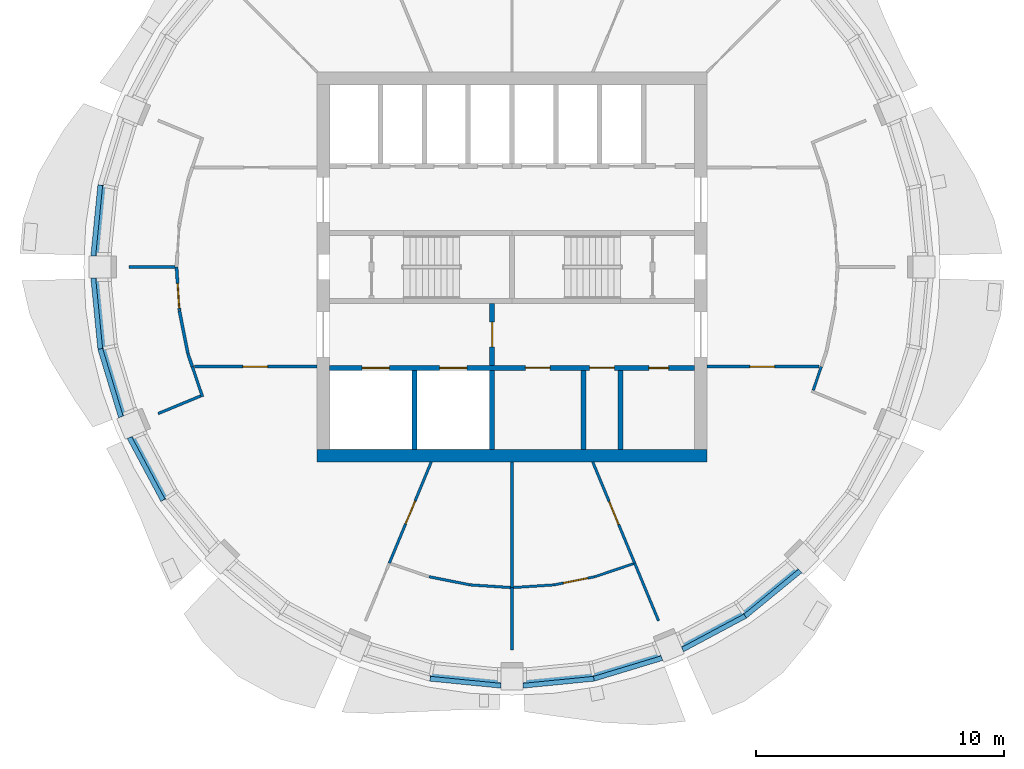
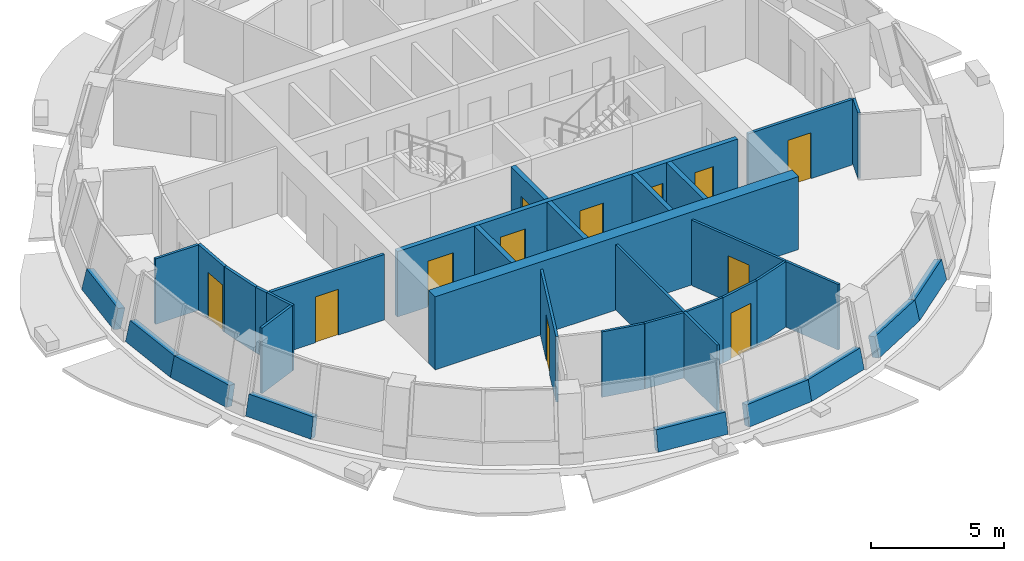
# One storey, part 4 of 11: 35 walls, 12 doors, 12 openings.
"""IFC4 building model written with IfcOpenShell, lengths in metres."""

from ifc_helpers import new_model, si_unit, direction, frame, frame_2d, origin, place, context, subcontext, project, spatial, polyline, rectangle, outline, extrude, material, layer, layer_set, type_object, element, fill, save


model = new_model("IFC4")

# Units and contexts
model_context = context("Model", 3, precision=1e-05, world=origin(), true_north=direction((0.0, 1.0)))
body_context = subcontext(model_context, "Body", "Model", "MODEL_VIEW")
ifc_project = project(units=[si_unit("LENGTHUNIT", "METRE"), si_unit("AREAUNIT", "SQUARE_METRE"), si_unit("VOLUMEUNIT", "CUBIC_METRE"), si_unit("PLANEANGLEUNIT", "RADIAN"), si_unit("MASSUNIT", "GRAM", prefix="KILO")], contexts=[model_context])

# Site, building, storey
site_placement = place(None, origin())
site = spatial("IfcSite", under=ifc_project, at=site_placement, CompositionType="ELEMENT")
building_placement = place(site_placement, origin())
building = spatial("IfcBuilding", under=site, at=building_placement, Name="Polderwave Tower", CompositionType="ELEMENT")
storey_placement = place(building_placement, frame((0.0, 0.0, 204.39990234375)))
storey = spatial("IfcBuildingStorey", under=building, at=storey_placement, Name="L55", CompositionType="ELEMENT", Elevation=204.39990234375)

# Walls
ifc_material_1 = material(Name="Concrete C60/75", Category="concrete")
ifc_layer_1 = layer(ifc_material_1, 0.5)
ifc_layer_set_1 = layer_set([ifc_layer_1], Name="CORE WALL 500 C60/75")
wall_type_1 = type_object("IfcWallType", Name="CORE WALL 500 C60/75", PredefinedType="SHEAR", material=ifc_layer_set_1)
wall_1_placement = place(storey_placement, frame((-7.8740234375, -7.6240234375, 0.0), z_axis=(0.0, 0.0, 1.0), x_axis=(1.0, 0.0, 0.0)))
element("IfcWall", 1, at=wall_1_placement, inside=storey, type_object=wall_type_1, Name="ST-CORE-L55-S", PredefinedType="SHEAR", context=body_context, shape_type="SweptSolid", body=[
    extrude(rectangle(XDim=15.748046875, YDim=0.5, at=frame_2d((7.8740234375, 0.0))), origin(), (0.0, 0.0, 1.0), 3.35009765625),
])
ifc_material_2 = material(Name="Concrete C50/60 (board-marked)", Category="concrete")
ifc_layer_2 = layer(ifc_material_2, 0.300048828125)
ifc_layer_set_2 = layer_set([ifc_layer_2], Name="Concrete spandrel upstand C50/60")
wall_type_2 = type_object("IfcWallType", Name="Concrete spandrel upstand C50/60", PredefinedType="SOLIDWALL", material=ifc_layer_set_2)
wall_2_placement = place(storey_placement, frame((-16.72705078125, 3.327392578125, 0.0), z_axis=(-0.972506225061, 0.09607411987, 0.212135347619), x_axis=(-0.098310703755, -0.995155769469, 4.446659e-06)))
element("IfcWall", 2, at=wall_2_placement, inside=storey, type_object=wall_type_2, Name="Spandrel L55 8b", PredefinedType="SOLIDWALL", context=body_context, shape_type="SweptSolid", body=[
    extrude(outline(polyline([(0.0, 0.0), (2.888743782706167, 6.938893903907228e-18), (2.8694504694765173, 0.9210976353176993), (0.019211109710525674, 0.9211237489550932), (0.0, 0.0)])), origin(), (0.0, 0.0, -1.0), 0.300048828125),
])
wall_3_placement = place(storey_placement, frame((-17.010986328125, -0.45263671875, 0.0), z_axis=(-0.97248307566, -0.096030261393, 0.212261292872), x_axis=(0.098270470922, -0.99515974322, 4.332109e-06)))
element("IfcWall", 3, at=wall_3_placement, inside=storey, type_object=wall_type_2, Name="Spandrel L55 9a", PredefinedType="SOLIDWALL", context=body_context, shape_type="SweptSolid", body=[
    extrude(outline(polyline([(0.0, 0.0), (2.8887437827391578, -6.938893903907228e-18), (2.86953267296287, 0.9211237490571841), (0.019317309955234726, 0.9211491905893285), (0.0, 0.0)])), origin(), (0.0, 0.0, -1.0), 0.300048828125),
])
wall_4_placement = place(storey_placement, frame((-16.72705078125, -3.327392578125, 0.0), z_axis=(-0.935242697182, -0.28337916088, 0.212172921331), x_axis=(0.289981848011, -0.957032145656, 2.070465e-06)))
element("IfcWall", 4, at=wall_4_placement, inside=storey, type_object=wall_type_2, Name="Spandrel L55 9b", PredefinedType="SOLIDWALL", context=body_context, shape_type="SweptSolid", body=[
    extrude(outline(polyline([(0.0, 0.0), (2.888526051219243, 0.0), (2.869165271437796, 0.9211123016820382), (0.019177066654742992, 0.9211244598923397), (0.0, 0.0)])), origin(), (0.0, 0.0, -1.0), 0.300048828125),
])
wall_5_placement = place(storey_placement, frame((-15.542236328125, -6.927734375, 0.0), z_axis=(-0.86194406833, -0.460490666642, 0.212133846912), x_axis=(0.471214057348, -0.88201888422, -6.139239e-06)))
element("IfcWall", 5, at=wall_5_placement, inside=storey, type_object=wall_type_2, Name="Spandrel L55 10a", PredefinedType="SOLIDWALL", context=body_context, shape_type="SweptSolid", body=[
    extrude(outline(polyline([(0.0, 0.0), (2.8886150989820782, 0.0), (2.8693175227477177, 0.9211284105833573), (0.019362698188122602, 0.9210923596317686), (0.0, 0.0)])), origin(), (0.0, 0.0, -1.0), 0.300048828125),
])
wall_6_placement = place(storey_placement, frame((-3.327392578125, -16.72705078125, 0.0), z_axis=(-0.09607411987, -0.972506225061, 0.212135347619), x_axis=(0.995155769469, -0.098310703755, 4.446659e-06)))
element("IfcWall", 6, at=wall_6_placement, inside=storey, type_object=wall_type_2, Name="Spandrel L55 12b", PredefinedType="SOLIDWALL", context=body_context, shape_type="SweptSolid", body=[
    extrude(outline(polyline([(0.0, 0.0), (2.888743782706167, 6.938893903907228e-18), (2.8694504694765173, 0.9210976353176993), (0.019211109710525674, 0.9211237489550932), (0.0, 0.0)])), origin(), (0.0, 0.0, -1.0), 0.300048828125),
])
wall_7_placement = place(storey_placement, frame((0.45263671875, -17.010986328125, 0.0), z_axis=(0.096030261393, -0.97248307566, 0.212261292872), x_axis=(0.99515974322, 0.098270470922, 4.332109e-06)))
element("IfcWall", 7, at=wall_7_placement, inside=storey, type_object=wall_type_2, Name="Spandrel L55 13a", PredefinedType="SOLIDWALL", context=body_context, shape_type="SweptSolid", body=[
    extrude(outline(polyline([(0.0, 0.0), (2.8887437827391578, -6.938893903907228e-18), (2.86953267296287, 0.9211237490571841), (0.019317309955234726, 0.9211491905893285), (0.0, 0.0)])), origin(), (0.0, 0.0, -1.0), 0.300048828125),
])
wall_8_placement = place(storey_placement, frame((3.327392578125, -16.72705078125, 0.0), z_axis=(0.28337916088, -0.935242697182, 0.212172921331), x_axis=(0.957032145656, 0.289981848011, 2.070465e-06)))
element("IfcWall", 8, at=wall_8_placement, inside=storey, type_object=wall_type_2, Name="Spandrel L55 13b", PredefinedType="SOLIDWALL", context=body_context, shape_type="SweptSolid", body=[
    extrude(outline(polyline([(0.0, 0.0), (2.888526051219243, 0.0), (2.869165271437796, 0.9211123016820382), (0.019177066654742992, 0.9211244598923397), (0.0, 0.0)])), origin(), (0.0, 0.0, -1.0), 0.300048828125),
])
wall_9_placement = place(storey_placement, frame((6.927734375, -15.542236328125, 0.0), z_axis=(0.460490666642, -0.86194406833, 0.212133846912), x_axis=(0.88201888422, 0.471214057348, -6.139239e-06)))
element("IfcWall", 9, at=wall_9_placement, inside=storey, type_object=wall_type_2, Name="Spandrel L55 14a", PredefinedType="SOLIDWALL", context=body_context, shape_type="SweptSolid", body=[
    extrude(outline(polyline([(0.0, 0.0), (2.8886150989820782, 0.0), (2.8693175227477177, 0.9211284105833573), (0.019362698188122602, 0.9210923596317686), (0.0, 0.0)])), origin(), (0.0, 0.0, -1.0), 0.300048828125),
])
wall_10_placement = place(storey_placement, frame((9.4755859375, -14.18115234375, 0.0), z_axis=(0.619877353438, -0.755401474704, 0.212416286358), x_axis=(0.77304281661, 0.634353847381, 4.54494e-07)))
element("IfcWall", 10, at=wall_10_placement, inside=storey, type_object=wall_type_2, Name="Spandrel L55 14b", PredefinedType="SOLIDWALL", context=body_context, shape_type="SweptSolid", body=[
    extrude(outline(polyline([(0.0, 0.0), (2.888789702630808, 5.551115123125783e-17), (2.86933526156926, 0.9211668830901925), (0.0194015171973738, 0.9211695522174551), (0.0, 0.0)])), origin(), (0.0, 0.0, -1.0), 0.300048828125),
])

# Wall, opening, door
ifc_material_3 = material(Name="Gypsum board partition")
ifc_layer_3 = layer(ifc_material_3, 0.199951171875)
ifc_layer_set_3 = layer_set([ifc_layer_3], Name="Core room partition 200")
wall_type_3 = type_object("IfcWallType", Name="Core room partition 200", PredefinedType="PARTITIONING", material=ifc_layer_set_3)
wall_11_placement = place(storey_placement, frame((-0.800048828125, -3.97412109375, 0.0), z_axis=(0.0, 0.0, 1.0), x_axis=(0.0, 1.0, 0.0)))
wall_11 = element("IfcWall", 11, at=wall_11_placement, inside=storey, type_object=wall_type_3, Name="L55 fire-fighting lobby wall", PredefinedType="PARTITIONING", context=body_context, shape_type="SweptSolid", body=[
    extrude(rectangle(XDim=2.4990234375, YDim=0.199951171875, at=frame_2d((1.24951171875, 0.0))), origin(), (0.0, 0.0, 1.0), 3.0),
])
opening_1_placement = place(wall_11_placement, frame((0.74951171875, 0.0, 0.0)))
opening_1 = element("IfcOpeningElement", 12, at=opening_1_placement, cuts=wall_11, Name="Opening L55-D14", PredefinedType="OPENING", context=body_context, shape_type="SweptSolid", body=[
    extrude(rectangle(XDim=1.0, YDim=2.10009765625, at=frame_2d((0.5, 1.050048828125))), frame((0.0, 0.10986328125, 0.0), z_axis=(0.0, -1.0, 0.0), x_axis=(1.0, 0.0, 0.0)), (0.0, 0.0, 1.0), 0.219970703125),
])
ifc_material_4 = material(Name="Steel fire door", Category="steel")
door_type_1 = type_object("IfcDoorType", Name="Lobby fire door 1000", OperationType="NOTDEFINED", PredefinedType="DOOR", material=ifc_material_4)
door_1_placement = place(opening_1_placement, frame((1.0, 0.0, 0.0), z_axis=(0.0, 0.0, 1.0), x_axis=(-1.0, 0.0, 0.0)))
door_1 = element("IfcDoor", 13, at=door_1_placement, inside=storey, type_object=door_type_1, Name="Fire-fighting lobby door", OperationType="SINGLE_SWING_LEFT", OverallHeight=2.10009765625, OverallWidth=1.0, PredefinedType="DOOR", context=body_context, shape_type="SweptSolid", body=[
    extrude(rectangle(XDim=1.0, YDim=2.10009765625, at=frame_2d((0.5, 1.050048828125))), frame((0.0, 0.02490234375, 0.0), z_axis=(0.0, -1.0, 0.0), x_axis=(1.0, 0.0, 0.0)), (0.0, 0.0, 1.0), 0.050048828125),
])
fill(opening_1, door_1)

# Walls
for number, where, z_axis, x_axis, name in (
    (14, (2.88818359375, -7.3740234375, 0.0), (0.0, 0.0, 1.0), (0.0, 1.0, 0.0), "L55 room partition S1"),
    (15, (4.3837890625, -7.3740234375, 0.0), (0.0, 0.0, 1.0), (0.0, 1.0, 0.0), "L55 room partition S2"),
):
    element("IfcWall", number, at=place(storey_placement, frame(where, z_axis=z_axis, x_axis=x_axis)), inside=storey, type_object=wall_type_3, Name=name, PredefinedType="PARTITIONING", context=body_context, shape_type="SweptSolid", body=[
        extrude(rectangle(XDim=3.199951171875, YDim=0.199951171875, at=frame_2d((1.60009765625, 0.0))), origin(), (0.0, 0.0, 1.0), 3.0),
    ])

# Wall, openings, doors
ifc_material_5 = material(Name="Concrete C50/60", Category="concrete")
ifc_layer_4 = layer(ifc_material_5, 0.199951171875)
ifc_layer_set_4 = layer_set([ifc_layer_4], Name="Core web wall 200")
wall_type_4 = type_object("IfcWallType", Name="Core web wall 200", PredefinedType="SHEAR", material=ifc_layer_set_4)
wall_12_placement = place(storey_placement, frame((-7.3740234375, -4.073974609375, 0.0), z_axis=(0.0, 0.0, 1.0), x_axis=(1.0, 0.0, 0.0)))
wall_12 = element("IfcWall", 16, at=wall_12_placement, inside=storey, type_object=wall_type_4, Name="L55 south front wall", PredefinedType="SHEAR", context=body_context, shape_type="SweptSolid", body=[
    extrude(rectangle(XDim=14.748046875, YDim=0.199951171875, at=frame_2d((7.3740234375, 0.0))), origin(), (0.0, 0.0, 1.0), 3.0),
])
opening_2_placement = place(wall_12_placement, frame((1.318603515625, 0.0, 0.0)))
opening_2 = element("IfcOpeningElement", 17, at=opening_2_placement, cuts=wall_12, Name="Opening L55-D01", PredefinedType="OPENING", context=body_context, shape_type="SweptSolid", body=[
    extrude(rectangle(XDim=1.10009765625, YDim=2.10009765625, at=frame_2d((0.550048828125, 1.050048828125))), frame((0.0, 0.10986328125, 0.0), z_axis=(0.0, -1.0, 0.0), x_axis=(1.0, 0.0, 0.0)), (0.0, 0.0, 1.0), 0.219970703125),
])
opening_3_placement = place(wall_12_placement, frame((4.45556640625, 0.0, 0.0)))
opening_3 = element("IfcOpeningElement", 18, at=opening_3_placement, cuts=wall_12, Name="Opening L55-D02", PredefinedType="OPENING", context=body_context, shape_type="SweptSolid", body=[
    extrude(rectangle(XDim=1.10009765625, YDim=2.10009765625, at=frame_2d((0.550048828125, 1.050048828125))), frame((0.0, 0.10986328125, 0.0), z_axis=(0.0, -1.0, 0.0), x_axis=(1.0, 0.0, 0.0)), (0.0, 0.0, 1.0), 0.219970703125),
])
opening_4_placement = place(wall_12_placement, frame((7.918212890625, 0.0, 0.0)))
opening_4 = element("IfcOpeningElement", 19, at=opening_4_placement, cuts=wall_12, Name="Opening L55-D15", PredefinedType="OPENING", context=body_context, shape_type="SweptSolid", body=[
    extrude(rectangle(XDim=1.0, YDim=2.10009765625, at=frame_2d((0.5, 1.050048828125))), frame((0.0, 0.10986328125, 0.0), z_axis=(0.0, -1.0, 0.0), x_axis=(1.0, 0.0, 0.0)), (0.0, 0.0, 1.0), 0.219970703125),
])
opening_5_placement = place(wall_12_placement, frame((10.510009765625, 0.0, 0.0)))
opening_5 = element("IfcOpeningElement", 20, at=opening_5_placement, cuts=wall_12, Name="Opening L55-D16", PredefinedType="OPENING", context=body_context, shape_type="SweptSolid", body=[
    extrude(rectangle(XDim=1.0, YDim=2.10009765625, at=frame_2d((0.5, 1.050048828125))), frame((0.0, 0.10986328125, 0.0), z_axis=(0.0, -1.0, 0.0), x_axis=(1.0, 0.0, 0.0)), (0.0, 0.0, 1.0), 0.219970703125),
])
opening_6_placement = place(wall_12_placement, frame((12.90283203125, 0.0, 0.0)))
opening_6 = element("IfcOpeningElement", 21, at=opening_6_placement, cuts=wall_12, Name="Opening L55-D17", PredefinedType="OPENING", context=body_context, shape_type="SweptSolid", body=[
    extrude(rectangle(XDim=0.800048828125, YDim=2.10009765625, at=frame_2d((0.39990234375, 1.050048828125))), frame((0.0, 0.10986328125, 0.0), z_axis=(0.0, -1.0, 0.0), x_axis=(1.0, 0.0, 0.0)), (0.0, 0.0, 1.0), 0.219970703125),
])
ifc_material_6 = material(Name="Stainless steel", Category="steel")
door_type_2 = type_object("IfcDoorType", Name="Fire-fighting lift landing door 1100", OperationType="DOUBLE_DOOR_SLIDING", PredefinedType="DOOR", material=ifc_material_6)
door_2_placement = place(opening_2_placement, origin())
door_2 = element("IfcDoor", 22, at=door_2_placement, inside=storey, type_object=door_type_2, Name="Fire-fighting lift FF1 landing door", OperationType="DOUBLE_DOOR_SLIDING", OverallHeight=2.10009765625, OverallWidth=1.10009765625, PredefinedType="DOOR", context=body_context, shape_type="SweptSolid", body=[
    extrude(rectangle(XDim=1.10009765625, YDim=2.10009765625, at=frame_2d((0.550048828125, 1.050048828125))), frame((0.0, 0.02490234375, 0.0), z_axis=(0.0, -1.0, 0.0), x_axis=(1.0, 0.0, 0.0)), (0.0, 0.0, 1.0), 0.050048828125),
])
fill(opening_2, door_2)
door_3_placement = place(opening_3_placement, origin())
door_3 = element("IfcDoor", 23, at=door_3_placement, inside=storey, type_object=door_type_2, Name="Fire-fighting lift FF2 landing door", OperationType="DOUBLE_DOOR_SLIDING", OverallHeight=2.10009765625, OverallWidth=1.10009765625, PredefinedType="DOOR", context=body_context, shape_type="SweptSolid", body=[
    extrude(rectangle(XDim=1.10009765625, YDim=2.10009765625, at=frame_2d((0.550048828125, 1.050048828125))), frame((0.0, 0.02490234375, 0.0), z_axis=(0.0, -1.0, 0.0), x_axis=(1.0, 0.0, 0.0)), (0.0, 0.0, 1.0), 0.050048828125),
])
fill(opening_3, door_3)
door_type_3 = type_object("IfcDoorType", Name="Riser door 800", OperationType="NOTDEFINED", PredefinedType="DOOR", material=ifc_material_4)
door_4_placement = place(opening_6_placement, origin())
door_4 = element("IfcDoor", 24, at=door_4_placement, inside=storey, type_object=door_type_3, Name="Communications room door", OperationType="SINGLE_SWING_RIGHT", OverallHeight=2.10009765625, OverallWidth=0.800048828125, PredefinedType="DOOR", context=body_context, shape_type="SweptSolid", body=[
    extrude(rectangle(XDim=0.800048828125, YDim=2.10009765625, at=frame_2d((0.39990234375, 1.050048828125))), frame((0.0, 0.02490234375, 0.0), z_axis=(0.0, -1.0, 0.0), x_axis=(1.0, 0.0, 0.0)), (0.0, 0.0, 1.0), 0.050048828125),
])
fill(opening_6, door_4)
ifc_material_7 = material(Name="Timber door leaf", Category="wood")
door_type_4 = type_object("IfcDoorType", Name="Room door 1000", OperationType="NOTDEFINED", PredefinedType="DOOR", material=ifc_material_7)
door_5_placement = place(opening_4_placement, frame((1.0, 0.0, 0.0), z_axis=(0.0, 0.0, 1.0), x_axis=(-1.0, 0.0, 0.0)))
door_5 = element("IfcDoor", 25, at=door_5_placement, inside=storey, type_object=door_type_4, Name="Pantry door", OperationType="SINGLE_SWING_LEFT", OverallHeight=2.10009765625, OverallWidth=1.0, PredefinedType="DOOR", context=body_context, shape_type="SweptSolid", body=[
    extrude(rectangle(XDim=1.0, YDim=2.10009765625, at=frame_2d((0.5, 1.050048828125))), frame((0.0, 0.02490234375, 0.0), z_axis=(0.0, -1.0, 0.0), x_axis=(1.0, 0.0, 0.0)), (0.0, 0.0, 1.0), 0.050048828125),
])
fill(opening_4, door_5)
door_6_placement = place(opening_5_placement, frame((1.0, 0.0, 0.0), z_axis=(0.0, 0.0, 1.0), x_axis=(-1.0, 0.0, 0.0)))
door_6 = element("IfcDoor", 26, at=door_6_placement, inside=storey, type_object=door_type_4, Name="Cleaner's store door", OperationType="SINGLE_SWING_LEFT", OverallHeight=2.10009765625, OverallWidth=1.0, PredefinedType="DOOR", context=body_context, shape_type="SweptSolid", body=[
    extrude(rectangle(XDim=1.0, YDim=2.10009765625, at=frame_2d((0.5, 1.050048828125))), frame((0.0, 0.02490234375, 0.0), z_axis=(0.0, -1.0, 0.0), x_axis=(1.0, 0.0, 0.0)), (0.0, 0.0, 1.0), 0.050048828125),
])
fill(opening_5, door_6)

# Wall, opening, door
ifc_material_8 = material(Name="Fire-resisting board on steel studs", Category="steel")
ifc_layer_5 = layer(ifc_material_8, 0.125)
ifc_layer_set_5 = layer_set([ifc_layer_5], Name="Corridor wall 125 mm EI 60")
wall_type_5 = type_object("IfcWallType", Name="Corridor wall 125 mm EI 60", PredefinedType="PARTITIONING", material=ifc_layer_set_5)
wall_13_placement = place(storey_placement, frame((12.40380859375, -4.0244140625, 0.0), z_axis=(0.0, 0.0, 1.0), x_axis=(-1.0, 0.0, 0.0)))
wall_13 = element("IfcWall", 27, at=wall_13_placement, inside=storey, type_object=wall_type_5, Name="IN-L55-W005", PredefinedType="PARTITIONING", context=body_context, shape_type="SweptSolid", body=[
    extrude(rectangle(XDim=4.52978515625, YDim=0.125, at=frame_2d((2.264892578125, 0.0))), origin(), (0.0, 0.0, 1.0), 3.0),
])
opening_7_placement = place(wall_13_placement, frame((1.800048828125, 0.0, 0.0)))
opening_7 = element("IfcOpeningElement", 28, at=opening_7_placement, cuts=wall_13, Name="Opening L55-D52", PredefinedType="OPENING", context=body_context, shape_type="SweptSolid", body=[
    extrude(rectangle(XDim=1.0, YDim=2.10009765625, at=frame_2d((0.5, 1.050048828125))), frame((0.0, 0.072509765625, 0.0), z_axis=(0.0, -1.0, 0.0), x_axis=(1.0, 0.0, 0.0)), (0.0, 0.0, 1.0), 0.14501953125),
])
ifc_material_9 = material(Name="Timber fire door leaf", Category="wood")
door_type_5 = type_object("IfcDoorType", Name="Fire door FD30S 1000 x 2100", OperationType="NOTDEFINED", PredefinedType="DOOR", material=ifc_material_9)
door_7_placement = place(opening_7_placement, origin())
door_7 = element("IfcDoor", 29, at=door_7_placement, inside=storey, type_object=door_type_5, Name="Door L55-D52", OperationType="SINGLE_SWING_RIGHT", OverallHeight=2.10009765625, OverallWidth=1.0, PredefinedType="DOOR", context=body_context, shape_type="SweptSolid", body=[
    extrude(rectangle(XDim=1.0, YDim=2.10009765625, at=frame_2d((0.5, 1.050048828125))), frame((0.0, 0.02490234375, 0.0), z_axis=(0.0, -1.0, 0.0), x_axis=(1.0, 0.0, 0.0)), (0.0, 0.0, 1.0), 0.050048828125),
])
fill(opening_7, door_7)

wall_14_placement = place(storey_placement, frame((-13.434326171875, -1.764404296875, 0.0), z_axis=(0.0, 0.0, 1.0), x_axis=(-0.065446765392, 0.997856062215, 0.0)))
wall_14 = element("IfcWall", 30, at=wall_14_placement, inside=storey, type_object=wall_type_5, Name="IN-L55-W013", PredefinedType="PARTITIONING", context=body_context, shape_type="SweptSolid", body=[
    extrude(rectangle(XDim=1.768310546875, YDim=0.125, at=frame_2d((0.88427734375, 0.0))), origin(), (0.0, 0.0, 1.0), 3.0),
])
opening_8_placement = place(wall_14_placement, frame((0.10009765625, 0.0, 0.0)))
opening_8 = element("IfcOpeningElement", 31, at=opening_8_placement, cuts=wall_14, Name="Opening L55-D56", PredefinedType="OPENING", context=body_context, shape_type="SweptSolid", body=[
    extrude(rectangle(XDim=1.0, YDim=2.10009765625, at=frame_2d((0.5, 1.050048828125))), frame((0.0, 0.072509765625, 0.0), z_axis=(0.0, -1.0, 0.0), x_axis=(1.0, 0.0, 0.0)), (0.0, 0.0, 1.0), 0.14501953125),
])
door_8_placement = place(opening_8_placement, origin())
door_8 = element("IfcDoor", 32, at=door_8_placement, inside=storey, type_object=door_type_5, Name="Door L55-D56", OperationType="SINGLE_SWING_LEFT", OverallHeight=2.10009765625, OverallWidth=1.0, PredefinedType="DOOR", context=body_context, shape_type="SweptSolid", body=[
    extrude(rectangle(XDim=1.0, YDim=2.10009765625, at=frame_2d((0.5, 1.050048828125))), frame((0.0, 0.02490234375, 0.0), z_axis=(0.0, -1.0, 0.0), x_axis=(1.0, 0.0, 0.0)), (0.0, 0.0, 1.0), 0.050048828125),
])
fill(opening_8, door_8)

# Walls
wall_15_placement = place(storey_placement, frame((-13.089111328125, -3.5029296875, 0.0), z_axis=(0.0, 0.0, 1.0), x_axis=(-0.195131330955, 0.980777122327, 0.0)))
element("IfcWall", 33, at=wall_15_placement, inside=storey, type_object=wall_type_5, Name="IN-L55-W014", PredefinedType="PARTITIONING", context=body_context, shape_type="SweptSolid", body=[
    extrude(rectangle(XDim=1.76416015625, YDim=0.125, at=frame_2d((0.882080078125, 0.0))), origin(), (0.0, 0.0, 1.0), 3.0),
])
wall_16_placement = place(storey_placement, frame((-12.91259765625, -4.0244140625, 0.0), z_axis=(0.0, 0.0, 1.0), x_axis=(-0.321491020406, 0.946912627331, 0.0)))
element("IfcWall", 34, at=wall_16_placement, inside=storey, type_object=wall_type_5, Name="IN-L55-W015", PredefinedType="PARTITIONING", context=body_context, shape_type="SweptSolid", body=[
    extrude(rectangle(XDim=0.542236328125, YDim=0.125, at=frame_2d((0.27099609375, 0.0))), origin(), (0.0, 0.0, 1.0), 3.0),
])

# Wall, opening, door
wall_17_placement = place(storey_placement, frame((-7.8740234375, -4.0244140625, 0.0), z_axis=(0.0, 0.0, 1.0), x_axis=(-1.0, 0.0, 0.0)))
wall_17 = element("IfcWall", 35, at=wall_17_placement, inside=storey, type_object=wall_type_5, Name="IN-L55-W016", PredefinedType="PARTITIONING", context=body_context, shape_type="SweptSolid", body=[
    extrude(rectangle(XDim=4.951416015625, YDim=0.125, at=frame_2d((2.4755859375, 0.0))), origin(), (0.0, 0.0, 1.0), 3.0),
])
opening_9_placement = place(wall_17_placement, frame((2.0, 0.0, 0.0)))
opening_9 = element("IfcOpeningElement", 36, at=opening_9_placement, cuts=wall_17, Name="Opening L55-D57", PredefinedType="OPENING", context=body_context, shape_type="SweptSolid", body=[
    extrude(rectangle(XDim=1.0, YDim=2.10009765625, at=frame_2d((0.5, 1.050048828125))), frame((0.0, 0.072509765625, 0.0), z_axis=(0.0, -1.0, 0.0), x_axis=(1.0, 0.0, 0.0)), (0.0, 0.0, 1.0), 0.14501953125),
])
door_9_placement = place(opening_9_placement, origin())
door_9 = element("IfcDoor", 37, at=door_9_placement, inside=storey, type_object=door_type_5, Name="Door L55-D57", OperationType="SINGLE_SWING_RIGHT", OverallHeight=2.10009765625, OverallWidth=1.0, PredefinedType="DOOR", context=body_context, shape_type="SweptSolid", body=[
    extrude(rectangle(XDim=1.0, YDim=2.10009765625, at=frame_2d((0.5, 1.050048828125))), frame((0.0, 0.02490234375, 0.0), z_axis=(0.0, -1.0, 0.0), x_axis=(1.0, 0.0, 0.0)), (0.0, 0.0, 1.0), 0.050048828125),
])
fill(opening_9, door_9)

# Wall
ifc_material_10 = material(Name="Plasterboard on steel studs", Category="steel")
ifc_layer_6 = layer(ifc_material_10, 0.10009765625)
ifc_layer_set_6 = layer_set([ifc_layer_6], Name="Partition 100 mm plasterboard on steel studs")
wall_type_6 = type_object("IfcWallType", Name="Partition 100 mm plasterboard on steel studs", PredefinedType="PARTITIONING", material=ifc_layer_set_6)
wall_18_placement = place(storey_placement, frame((1.68701171875, -12.83935546875, 0.0), z_axis=(0.0, 0.0, 1.0), x_axis=(-0.99785150194, -0.06551625811, 0.0)))
element("IfcWall", 38, at=wall_18_placement, inside=storey, type_object=wall_type_6, Name="IN-L55-W045", PredefinedType="PARTITIONING", context=body_context, shape_type="SweptSolid", body=[
    extrude(rectangle(XDim=1.632080078125, YDim=0.10009765625, at=frame_2d((0.81591796875, 0.0))), origin(), (0.0, 0.0, 1.0), 3.0),
])

# Wall, opening, door
wall_19_placement = place(storey_placement, frame((3.348388671875, -12.50927734375, 0.0), z_axis=(0.0, 0.0, 1.0), x_axis=(-0.98076390104, -0.195197772573, 0.0)))
wall_19 = element("IfcWall", 39, at=wall_19_placement, inside=storey, type_object=wall_type_6, Name="IN-L55-W046", PredefinedType="PARTITIONING", context=body_context, shape_type="SweptSolid", body=[
    extrude(rectangle(XDim=1.687255859375, YDim=0.10009765625, at=frame_2d((0.84375, 0.0))), origin(), (0.0, 0.0, 1.0), 3.0),
])
opening_10_placement = place(wall_19_placement, frame((0.300048828125, 0.0, 0.0)))
opening_10 = element("IfcOpeningElement", 40, at=opening_10_placement, cuts=wall_19, Name="Opening L55-D65", PredefinedType="OPENING", context=body_context, shape_type="SweptSolid", body=[
    extrude(rectangle(XDim=1.0, YDim=2.10009765625, at=frame_2d((0.5, 1.050048828125))), frame((0.0, 0.06005859375, 0.0), z_axis=(0.0, -1.0, 0.0), x_axis=(1.0, 0.0, 0.0)), (0.0, 0.0, 1.0), 0.1201171875),
])
ifc_material_11 = material(Name="Timber veneer door leaf", Category="wood")
door_type_6 = type_object("IfcDoorType", Name="Single door 1000 x 2100", OperationType="NOTDEFINED", PredefinedType="DOOR", material=ifc_material_11)
door_10_placement = place(opening_10_placement, origin())
door_10 = element("IfcDoor", 41, at=door_10_placement, inside=storey, type_object=door_type_6, Name="Door L55-D65", OperationType="SINGLE_SWING_LEFT", OverallHeight=2.10009765625, OverallWidth=1.0, PredefinedType="DOOR", context=body_context, shape_type="SweptSolid", body=[
    extrude(rectangle(XDim=1.0, YDim=2.10009765625, at=frame_2d((0.5, 1.050048828125))), frame((0.0, 0.02490234375, 0.0), z_axis=(0.0, -1.0, 0.0), x_axis=(1.0, 0.0, 0.0)), (0.0, 0.0, 1.0), 0.050048828125),
])
fill(opening_10, door_10)

# Wall
wall_20_placement = place(storey_placement, frame((4.90283203125, -11.982177734375, 0.0), z_axis=(0.0, 0.0, 1.0), x_axis=(-0.94695192125, -0.321375261714, 0.0)))
element("IfcWall", 42, at=wall_20_placement, inside=storey, type_object=wall_type_6, Name="IN-L55-W047", PredefinedType="PARTITIONING", context=body_context, shape_type="SweptSolid", body=[
    extrude(rectangle(XDim=1.634765625, YDim=0.10009765625, at=frame_2d((0.8173828125, 0.0))), origin(), (0.0, 0.0, 1.0), 3.0),
])

# Wall, opening, door
ifc_material_12 = material(Name="Moisture-resistant board on steel studs, tiled", Category="steel")
ifc_layer_7 = layer(ifc_material_12, 0.10498046875)
ifc_layer_set_7 = layer_set([ifc_layer_7], Name="Partition 105 mm wet room board and tile")
wall_type_7 = type_object("IfcWallType", Name="Partition 105 mm wet room board and tile", PredefinedType="PARTITIONING", material=ifc_layer_set_7)
wall_21_placement = place(storey_placement, frame((-3.261474609375, -7.8740234375, 0.0), z_axis=(0.0, 0.0, 1.0), x_axis=(-0.38271544888, -0.923866270186, 0.0)))
wall_21 = element("IfcWall", 43, at=wall_21_placement, inside=storey, type_object=wall_type_7, Name="IN-L55-W038", PredefinedType="PARTITIONING", context=body_context, shape_type="SweptSolid", body=[
    extrude(rectangle(XDim=4.42724609375, YDim=0.10498046875, at=frame_2d((2.213623046875, 0.0))), origin(), (0.0, 0.0, 1.0), 3.0),
])
opening_11_placement = place(wall_21_placement, frame((1.699951171875, 0.0, 0.0)))
opening_11 = element("IfcOpeningElement", 44, at=opening_11_placement, cuts=wall_21, Name="Opening L55-D63", PredefinedType="OPENING", context=body_context, shape_type="SweptSolid", body=[
    extrude(rectangle(XDim=1.0, YDim=2.10009765625, at=frame_2d((0.5, 1.050048828125))), frame((0.0, 0.0625, 0.0), z_axis=(0.0, -1.0, 0.0), x_axis=(1.0, 0.0, 0.0)), (0.0, 0.0, 1.0), 0.125),
])
door_11_placement = place(opening_11_placement, origin())
door_11 = element("IfcDoor", 45, at=door_11_placement, inside=storey, type_object=door_type_6, Name="Door L55-D63", OperationType="SINGLE_SWING_LEFT", OverallHeight=2.10009765625, OverallWidth=1.0, PredefinedType="DOOR", context=body_context, shape_type="SweptSolid", body=[
    extrude(rectangle(XDim=1.0, YDim=2.10009765625, at=frame_2d((0.5, 1.050048828125))), frame((0.0, 0.02490234375, 0.0), z_axis=(0.0, -1.0, 0.0), x_axis=(1.0, 0.0, 0.0)), (0.0, 0.0, 1.0), 0.050048828125),
])
fill(opening_11, door_11)

# Walls
wall_22_placement = place(storey_placement, frame((-1.693603515625, -12.83837890625, 0.0), z_axis=(0.0, 0.0, 1.0), x_axis=(-0.980819267524, 0.194919379368, 0.0)))
element("IfcWall", 46, at=wall_22_placement, inside=storey, type_object=wall_type_7, Name="IN-L55-W041", PredefinedType="PARTITIONING", context=body_context, shape_type="SweptSolid", body=[
    extrude(rectangle(XDim=1.687255859375, YDim=0.10498046875, at=frame_2d((0.84375, 0.0))), origin(), (0.0, 0.0, 1.0), 3.0),
])
wall_23_placement = place(storey_placement, frame((-0.058349609375, -12.9462890625, 0.0), z_axis=(0.0, 0.0, 1.0), x_axis=(-0.99785150194, 0.06551625811, 0.0)))
element("IfcWall", 47, at=wall_23_placement, inside=storey, type_object=wall_type_7, Name="IN-L55-W042", PredefinedType="PARTITIONING", context=body_context, shape_type="SweptSolid", body=[
    extrude(rectangle(XDim=1.632080078125, YDim=0.10498046875, at=frame_2d((0.81591796875, 0.0))), origin(), (0.0, 0.0, 1.0), 3.0),
])
wall_24_placement = place(storey_placement, frame((0.0, -7.8740234375, 0.0), z_axis=(0.0, 0.0, 1.0), x_axis=(0.0, -1.0, 0.0)))
element("IfcWall", 48, at=wall_24_placement, inside=storey, type_object=wall_type_7, Name="IN-L55-W043", PredefinedType="PARTITIONING", context=body_context, shape_type="SweptSolid", body=[
    extrude(rectangle(XDim=5.075927734375, YDim=0.10498046875, at=frame_2d((2.5380859375, 0.0))), origin(), (0.0, 0.0, 1.0), 3.0),
])

# Wall, opening, door
wall_25_placement = place(storey_placement, frame((4.955810546875, -11.964111328125, 0.0), z_axis=(0.0, 0.0, 1.0), x_axis=(-0.38271544888, 0.923866270186, 0.0)))
wall_25 = element("IfcWall", 49, at=wall_25_placement, inside=storey, type_object=wall_type_7, Name="IN-L55-W048", PredefinedType="PARTITIONING", context=body_context, shape_type="SweptSolid", body=[
    extrude(rectangle(XDim=4.42724609375, YDim=0.10498046875, at=frame_2d((2.213623046875, 0.0))), origin(), (0.0, 0.0, 1.0), 3.0),
])
opening_12_placement = place(wall_25_placement, frame((1.699951171875, 0.0, 0.0)))
opening_12 = element("IfcOpeningElement", 50, at=opening_12_placement, cuts=wall_25, Name="Opening L55-D66", PredefinedType="OPENING", context=body_context, shape_type="SweptSolid", body=[
    extrude(rectangle(XDim=1.0, YDim=2.10009765625, at=frame_2d((0.5, 1.050048828125))), frame((0.0, 0.0625, 0.0), z_axis=(0.0, -1.0, 0.0), x_axis=(1.0, 0.0, 0.0)), (0.0, 0.0, 1.0), 0.125),
])
door_12_placement = place(opening_12_placement, origin())
door_12 = element("IfcDoor", 51, at=door_12_placement, inside=storey, type_object=door_type_6, Name="Door L55-D66", OperationType="SINGLE_SWING_LEFT", OverallHeight=2.10009765625, OverallWidth=1.0, PredefinedType="DOOR", context=body_context, shape_type="SweptSolid", body=[
    extrude(rectangle(XDim=1.0, YDim=2.10009765625, at=frame_2d((0.5, 1.050048828125))), frame((0.0, 0.02490234375, 0.0), z_axis=(0.0, -1.0, 0.0), x_axis=(1.0, 0.0, 0.0)), (0.0, 0.0, 1.0), 0.050048828125),
])
fill(opening_12, door_12)

# Walls
wall_26_placement = place(storey_placement, frame((4.955810546875, -11.964111328125, 0.0), z_axis=(0.0, 0.0, 1.0), x_axis=(0.382654099242, -0.923891682143, 0.0)))
element("IfcWall", 52, at=wall_26_placement, inside=storey, type_object=wall_type_7, Name="IN-L55-W049", PredefinedType="PARTITIONING", context=body_context, shape_type="SweptSolid", body=[
    extrude(rectangle(XDim=2.520263671875, YDim=0.10498046875, at=frame_2d((1.26025390625, 0.0))), origin(), (0.0, 0.0, 1.0), 3.0),
])
wall_27_placement = place(storey_placement, frame((12.4912109375, -4.0244140625, 0.0), z_axis=(0.0, 0.0, 1.0), x_axis=(-0.321525085424, -0.946901061064, 0.0)))
element("IfcWall", 53, at=wall_27_placement, inside=storey, type_object=wall_type_7, Name="IN-L55-W051", PredefinedType="PARTITIONING", context=body_context, shape_type="SweptSolid", body=[
    extrude(rectangle(XDim=1.00830078125, YDim=0.10498046875, at=frame_2d((0.504150390625, 0.0))), origin(), (0.0, 0.0, 1.0), 3.0),
])
ifc_material_13 = material(Name="Acoustic double plasterboard on steel studs", Category="steel")
ifc_layer_8 = layer(ifc_material_13, 0.110107421875)
ifc_layer_set_8 = layer_set([ifc_layer_8], Name="Partition 110 mm acoustic double board")
wall_type_8 = type_object("IfcWallType", Name="Partition 110 mm acoustic double board", PredefinedType="PARTITIONING", material=ifc_layer_set_8)
wall_28_placement = place(storey_placement, frame((-13.6162109375, 0.0, 0.0), z_axis=(0.0, 0.0, 1.0), x_axis=(-1.0, 0.0, 0.0)))
element("IfcWall", 54, at=wall_28_placement, inside=storey, type_object=wall_type_8, Name="IN-L55-W035", PredefinedType="PARTITIONING", context=body_context, shape_type="SweptSolid", body=[
    extrude(rectangle(XDim=1.853759765625, YDim=0.110107421875, at=frame_2d((0.9267578125, 0.0))), origin(), (0.0, 0.0, 1.0), 3.0),
])
wall_29_placement = place(storey_placement, frame((-12.91259765625, -4.0244140625, 0.0), z_axis=(0.0, 0.0, 1.0), x_axis=(0.32136960108, -0.946953842329, 0.0)))
element("IfcWall", 55, at=wall_29_placement, inside=storey, type_object=wall_type_8, Name="IN-L55-W036", PredefinedType="PARTITIONING", context=body_context, shape_type="SweptSolid", body=[
    extrude(rectangle(XDim=1.28076171875, YDim=0.110107421875, at=frame_2d((0.640380859375, 0.0))), origin(), (0.0, 0.0, 1.0), 3.0),
])
wall_30_placement = place(storey_placement, frame((-12.572998046875, -5.2080078125, 0.0), z_axis=(0.0, 0.0, 1.0), x_axis=(-0.923893729339, -0.382649156394, 0.0)))
element("IfcWall", 56, at=wall_30_placement, inside=storey, type_object=wall_type_8, Name="IN-L55-W037", PredefinedType="PARTITIONING", context=body_context, shape_type="SweptSolid", body=[
    extrude(rectangle(XDim=1.861083984375, YDim=0.110107421875, at=frame_2d((0.9306640625, 0.0))), origin(), (0.0, 0.0, 1.0), 3.0),
])
wall_31_placement = place(storey_placement, frame((0.0, -12.949951171875, 0.0), z_axis=(0.0, 0.0, 1.0), x_axis=(0.0, -1.0, 0.0)))
element("IfcWall", 57, at=wall_31_placement, inside=storey, type_object=wall_type_8, Name="IN-L55-W044", PredefinedType="PARTITIONING", context=body_context, shape_type="SweptSolid", body=[
    extrude(rectangle(XDim=2.52001953125, YDim=0.110107421875, at=frame_2d((1.260009765625, 0.0))), origin(), (0.0, 0.0, 1.0), 3.0),
])
ifc_material_14 = material(Name="Gypsum shaft wall system")
ifc_layer_9 = layer(ifc_material_14, 0.199951171875)
ifc_layer_set_9 = layer_set([ifc_layer_9], Name="Shaft wall 200")
wall_type_9 = type_object("IfcWallType", Name="Shaft wall 200", PredefinedType="PARTITIONING", material=ifc_layer_set_9)
for number, where, z_axis, x_axis, name in (
    (58, (-3.93701171875, -7.3740234375, 0.0), (0.0, 0.0, 1.0), (0.0, 1.0, 0.0), "L55 fire-fighting shaft wall 1"),
    (59, (-0.800048828125, -7.3740234375, 0.0), (0.0, 0.0, 1.0), (0.0, 1.0, 0.0), "L55 fire-fighting shaft wall 2"),
):
    element("IfcWall", number, at=place(storey_placement, frame(where, z_axis=z_axis, x_axis=x_axis)), inside=storey, type_object=wall_type_9, Name=name, PredefinedType="PARTITIONING", context=body_context, shape_type="SweptSolid", body=[
        extrude(rectangle(XDim=3.199951171875, YDim=0.199951171875, at=frame_2d((1.60009765625, 0.0))), origin(), (0.0, 0.0, 1.0), 3.0),
    ])

save(model, "model.ifc")
